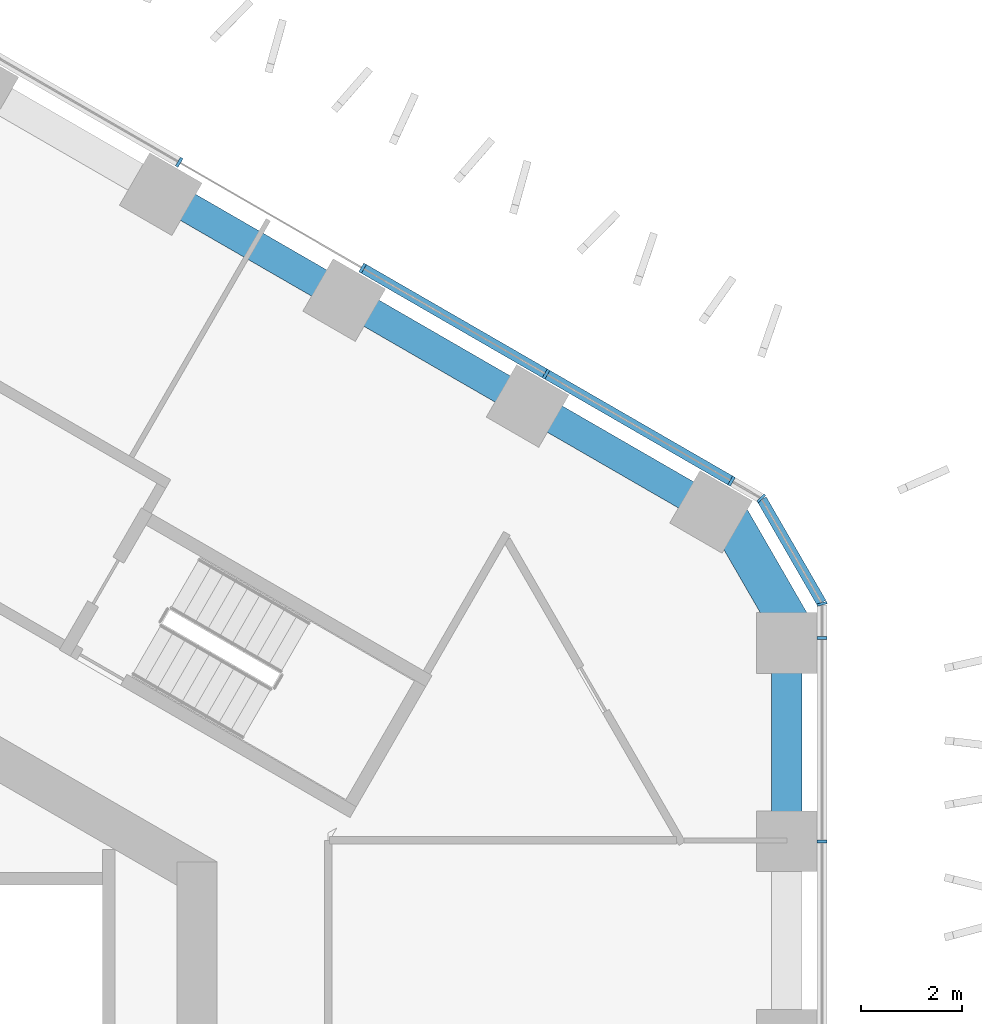
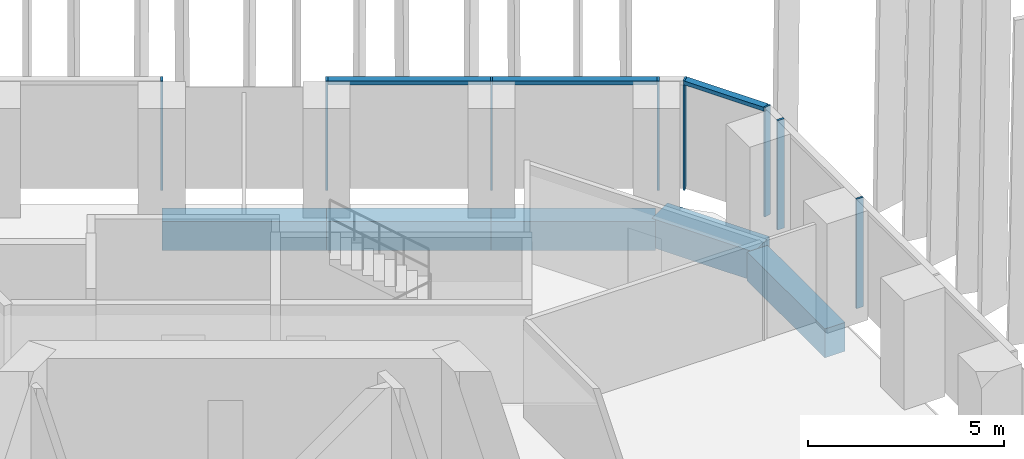
# One storey, part 7 of 19: 10 members, 5 beams, 3 elements without a shape of their own.
"""IFC4 building model written with IfcOpenShell, lengths in metres."""

from ifc_helpers import new_model, si_unit, direction, frame, origin, origin_2d, place, context, subcontext, project, spatial, rectangle, extrude, material, layer, layer_set, material_profile, profile_set, type_object, element, aggregate, save


model = new_model("IFC4")

# Units and contexts
model_context = context("Model", 3, precision=1e-05, world=origin(), true_north=direction((0.0, 1.0)))
body_context = subcontext(model_context, "Body", "Model", "MODEL_VIEW")
ifc_project = project(units=[si_unit("LENGTHUNIT", "METRE"), si_unit("AREAUNIT", "SQUARE_METRE"), si_unit("VOLUMEUNIT", "CUBIC_METRE"), si_unit("PLANEANGLEUNIT", "RADIAN"), si_unit("MASSUNIT", "GRAM", prefix="KILO")], contexts=[model_context])

# Site, building, storey
site_placement = place(None, origin())
site = spatial("IfcSite", under=ifc_project, at=site_placement, CompositionType="ELEMENT")
building_placement = place(site_placement, origin())
building = spatial("IfcBuilding", under=site, at=building_placement, Name="Ayvan Gate Tower", CompositionType="ELEMENT")
storey_placement = place(building_placement, frame((0.0, 0.0, 45.89990234375)))
storey = spatial("IfcBuildingStorey", under=building, at=storey_placement, Name="L11", CompositionType="ELEMENT", Elevation=45.89990234375)

# Beams
ifc_material_1 = material(Name="Concrete C40/50", Category="concrete")
ifc_material_profile_1 = material_profile(ifc_material_1, rectangle(XDim=0.800048828125, YDim=0.89990234375, at=origin_2d()), Name="RC 800x900")
ifc_profile_set_1 = profile_set([ifc_material_profile_1], Name="Concrete C40/50")
beam_type_1 = type_object("IfcBeamType", Name="Corner spandrel beam RC 800x900 C40/50", PredefinedType="BEAM", material=ifc_profile_set_1)
beam_1_placement = place(storey_placement, frame((20.97509765625, 9.98291015625, -0.7998046875), z_axis=(-0.499990139034, 0.866031096941, 0.0), x_axis=(-0.866031096941, -0.499990139034, 0.0)))
element("IfcBeam", 1, at=beam_1_placement, inside=storey, type_object=beam_type_1, Name="SB-L11-6", PredefinedType="BEAM", context=body_context, shape_type="SweptSolid", body=[
    extrude(rectangle(XDim=0.800048828125, YDim=0.89990234375, at=origin_2d()), origin(), (0.0, 0.0, 1.0), 3.0),
])
ifc_material_profile_2 = material_profile(ifc_material_1, rectangle(XDim=0.60009765625, YDim=0.89990234375, at=origin_2d()), Name="RC 600x900")
ifc_profile_set_2 = profile_set([ifc_material_profile_2], Name="Concrete C40/50")
beam_type_2 = type_object("IfcBeamType", Name="Spandrel beam RC 600x900 C40/50", PredefinedType="BEAM", material=ifc_profile_set_2)
beam_2_placement = place(storey_placement, frame((20.78466796875, 5.923828125, -0.7998046875), z_axis=(0.0, 1.0, 0.0), x_axis=(-1.0, 0.0, 0.0)))
element("IfcBeam", 2, at=beam_2_placement, inside=storey, type_object=beam_type_2, Name="SB-L11-5", PredefinedType="BEAM", context=body_context, shape_type="SweptSolid", body=[
    extrude(rectangle(XDim=0.60009765625, YDim=0.89990234375, at=origin_2d()), origin(), (0.0, 0.0, 1.0), 3.948974609375),
])
for number, where, z_axis, x_axis, name in (
    (3, (19.28466796875, 12.470947265625, -0.7998046875), (-0.866041855584, 0.499971503564, 0.0), (-0.499971503564, -0.866041855584, 0.0), "SB-L11-7"),
    (4, (15.6591796875, 14.56396484375, -0.7998046875), (-0.866002021773, 0.500040496645, 0.0), (-0.500040496645, -0.866002021773, 0.0), "SB-L11-8"),
):
    element("IfcBeam", number, at=place(storey_placement, frame(where, z_axis=z_axis, x_axis=x_axis)), inside=storey, type_object=beam_type_2, Name=name, PredefinedType="BEAM", context=body_context, shape_type="SweptSolid", body=[
        extrude(rectangle(XDim=0.60009765625, YDim=0.89990234375, at=origin_2d()), origin(), (0.0, 0.0, 1.0), 4.186279296875),
    ])
beam_3_placement = place(storey_placement, frame((12.033935546875, 16.6572265625, -0.7998046875), z_axis=(-0.866027276312, 0.499996756672, 0.0), x_axis=(-0.499996756672, -0.866027276312, 0.0)))
element("IfcBeam", 5, at=beam_3_placement, inside=storey, type_object=beam_type_2, Name="SB-L11-9", PredefinedType="BEAM", context=body_context, shape_type="SweptSolid", body=[
    extrude(rectangle(XDim=0.60009765625, YDim=0.89990234375, at=origin_2d()), origin(), (0.0, 0.0, 1.0), 4.18603515625),
])

# Curtain wall, members
ifc_material_2 = material(Name="Bronze anodised aluminium", Category="aluminium")
ifc_layer_1 = layer(ifc_material_2, 0.199951171875)
ifc_layer_set_1 = layer_set([ifc_layer_1], Name="Bronze anodised aluminium")
curtain_wall_type_1 = type_object("IfcCurtainWallType", Name="Stick curtain wall CW-1", PredefinedType="NOTDEFINED", material=ifc_layer_set_1)
curtain_wall_1_placement = place(storey_placement, origin())
curtain_wall_1 = element("IfcCurtainWall", 6, at=curtain_wall_1_placement, inside=storey, type_object=curtain_wall_type_1, Name="Stick curtain wall CW-1 L11", PredefinedType="NOTDEFINED")
ifc_material_profile_3 = material_profile(ifc_material_2, rectangle(XDim=0.199951171875, YDim=0.06005859375, at=origin_2d()), Name="Stick curtain wall CW-1 mullion 200 x 60")
ifc_profile_set_3 = profile_set([ifc_material_profile_3], Name="Bronze anodised aluminium")
member_type_1 = type_object("IfcMemberType", Name="Stick curtain wall CW-1 mullion 200 x 60", PredefinedType="MULLION", material=ifc_profile_set_3)
member_1_placement = place(storey_placement, frame((21.484619140625, 5.89306640625, 0.0), z_axis=(0.0, 0.0, 1.0), x_axis=(1.0, 0.0, 0.0)))
member_1 = element("IfcMember", 7, at=member_1_placement, type_object=member_type_1, Name="CW-1 mullion 5", PredefinedType="MULLION", context=body_context, shape_type="SweptSolid", body=[
    extrude(rectangle(XDim=0.199951171875, YDim=0.06005859375, at=origin_2d()), origin(), (0.0, 0.0, 1.0), 3.400146484375),
])
member_2_placement = place(storey_placement, frame((21.484619140625, 9.9189453125, 0.0), z_axis=(0.0, 0.0, 1.0), x_axis=(1.0, 0.0, 0.0)))
member_2 = element("IfcMember", 8, at=member_2_placement, type_object=member_type_1, Name="CW-1 mullion 6", PredefinedType="MULLION", context=body_context, shape_type="SweptSolid", body=[
    extrude(rectangle(XDim=0.199951171875, YDim=0.06005859375, at=origin_2d()), origin(), (0.0, 0.0, 1.0), 3.400146484375),
])
aggregate(curtain_wall_1, [member_1, member_2])

curtain_wall_2_placement = place(storey_placement, origin())
curtain_wall_2 = element("IfcCurtainWall", 9, at=curtain_wall_2_placement, inside=storey, type_object=curtain_wall_type_1, Name="Stick curtain wall CW-1 L11", PredefinedType="NOTDEFINED")
member_3_placement = place(storey_placement, frame((19.6884765625, 13.030029296875, 0.0), z_axis=(0.0, 0.0, 1.0), x_axis=(0.5, 0.866025403784, 0.0)))
member_3 = element("IfcMember", 10, at=member_3_placement, type_object=member_type_1, Name="CW-1 mullion 1", PredefinedType="MULLION", context=body_context, shape_type="SweptSolid", body=[
    extrude(rectangle(XDim=0.199951171875, YDim=0.06005859375, at=origin_2d()), origin(), (0.0, 0.0, 1.0), 3.400146484375),
])
member_4_placement = place(storey_placement, frame((16.015625, 15.150390625, 0.0), z_axis=(0.0, 0.0, 1.0), x_axis=(0.5, 0.866025403784, 0.0)))
member_4 = element("IfcMember", 11, at=member_4_placement, type_object=member_type_1, Name="CW-1 mullion 2", PredefinedType="MULLION", context=body_context, shape_type="SweptSolid", body=[
    extrude(rectangle(XDim=0.199951171875, YDim=0.06005859375, at=origin_2d()), origin(), (0.0, 0.0, 1.0), 3.400146484375),
])
member_5_placement = place(storey_placement, frame((12.380859375, 17.2490234375, 0.0), z_axis=(0.0, 0.0, 1.0), x_axis=(0.5, 0.866025403784, 0.0)))
member_5 = element("IfcMember", 12, at=member_5_placement, type_object=member_type_1, Name="CW-1 mullion 3", PredefinedType="MULLION", context=body_context, shape_type="SweptSolid", body=[
    extrude(rectangle(XDim=0.199951171875, YDim=0.06005859375, at=origin_2d()), origin(), (0.0, 0.0, 1.0), 3.400146484375),
])
member_6_placement = place(storey_placement, frame((8.7470703125, 19.346923828125, 0.0), z_axis=(0.0, 0.0, 1.0), x_axis=(0.5, 0.866025403784, 0.0)))
member_6 = element("IfcMember", 13, at=member_6_placement, type_object=member_type_1, Name="CW-1 mullion 4", PredefinedType="MULLION", context=body_context, shape_type="SweptSolid", body=[
    extrude(rectangle(XDim=0.199951171875, YDim=0.06005859375, at=origin_2d()), origin(), (0.0, 0.0, 1.0), 3.400146484375),
])
ifc_material_profile_4 = material_profile(ifc_material_2, rectangle(XDim=0.199951171875, YDim=0.1201171875, at=origin_2d()), Name="Stick curtain wall CW-1 transom 200 x 120")
ifc_profile_set_4 = profile_set([ifc_material_profile_4], Name="Bronze anodised aluminium")
member_type_2 = type_object("IfcMemberType", Name="Stick curtain wall CW-1 transom 200 x 120", PredefinedType="USERDEFINED", material=ifc_profile_set_4)
member_7_placement = place(storey_placement, frame((19.6884765625, 13.030029296875, 3.340087890625), z_axis=(-0.866031335599, 0.499989725655, 0.0), x_axis=(-0.499989725655, -0.866031335599, 0.0)))
member_7 = element("IfcMember", 14, at=member_7_placement, type_object=member_type_2, Name="CW-1 transom 1", ObjectType="TRANSOM", PredefinedType="USERDEFINED", context=body_context, shape_type="SweptSolid", body=[
    extrude(rectangle(XDim=0.199951171875, YDim=0.1201171875, at=origin_2d()), origin(), (0.0, 0.0, 1.0), 8.407958984375),
])
aggregate(curtain_wall_2, [member_3, member_4, member_5, member_6, member_7])

ifc_layer_2 = layer(ifc_material_2, 0.199951171875)
ifc_layer_set_2 = layer_set([ifc_layer_2], Name="Bronze anodised aluminium")
curtain_wall_type_2 = type_object("IfcCurtainWallType", Name="Stick curtain wall CW-6", PredefinedType="NOTDEFINED", material=ifc_layer_set_2)
curtain_wall_3_placement = place(storey_placement, origin())
curtain_wall_3 = element("IfcCurtainWall", 15, at=curtain_wall_3_placement, inside=storey, type_object=curtain_wall_type_2, Name="Stick curtain wall CW-6 L11", PredefinedType="NOTDEFINED")
ifc_material_profile_5 = material_profile(ifc_material_2, rectangle(XDim=0.199951171875, YDim=0.050048828125, at=origin_2d()), Name="Stick curtain wall CW-6 mullion 200 x 50")
ifc_profile_set_5 = profile_set([ifc_material_profile_5], Name="Bronze anodised aluminium")
member_type_3 = type_object("IfcMemberType", Name="Stick curtain wall CW-6 mullion 200 x 50", PredefinedType="MULLION", material=ifc_profile_set_5)
member_8_placement = place(storey_placement, frame((21.484619140625, 10.598876953125, 0.0), z_axis=(0.0, 0.0, 1.0), x_axis=(0.965925826289, 0.258819045103, 0.0)))
member_8 = element("IfcMember", 16, at=member_8_placement, type_object=member_type_3, Name="CW-6 mullion 2", PredefinedType="MULLION", context=body_context, shape_type="SweptSolid", body=[
    extrude(rectangle(XDim=0.199951171875, YDim=0.050048828125, at=origin_2d()), origin(), (0.0, 0.0, 1.0), 3.400146484375),
])
member_9_placement = place(storey_placement, frame((20.27734375, 12.68994140625, 0.0), z_axis=(0.0, 0.0, 1.0), x_axis=(0.707106781187, 0.707106781187, 0.0)))
member_9 = element("IfcMember", 17, at=member_9_placement, type_object=member_type_3, Name="CW-6 mullion 3", PredefinedType="MULLION", context=body_context, shape_type="SweptSolid", body=[
    extrude(rectangle(XDim=0.199951171875, YDim=0.050048828125, at=origin_2d()), origin(), (0.0, 0.0, 1.0), 3.400146484375),
])
ifc_material_profile_6 = material_profile(ifc_material_2, rectangle(XDim=0.199951171875, YDim=0.1201171875, at=origin_2d()), Name="Stick curtain wall CW-6 transom 200 x 120")
ifc_profile_set_6 = profile_set([ifc_material_profile_6], Name="Bronze anodised aluminium")
member_type_4 = type_object("IfcMemberType", Name="Stick curtain wall CW-6 transom 200 x 120", PredefinedType="USERDEFINED", material=ifc_profile_set_6)
member_10_placement = place(storey_placement, frame((21.47216796875, 10.62060546875, 3.340087890625), z_axis=(-0.500014398087, 0.866017090885, 0.0), x_axis=(-0.866017090885, -0.500014398087, 0.0)))
member_10 = element("IfcMember", 18, at=member_10_placement, type_object=member_type_4, Name="CW-6 transom 2", ObjectType="TRANSOM", PredefinedType="USERDEFINED", context=body_context, shape_type="SweptSolid", body=[
    extrude(rectangle(XDim=0.199951171875, YDim=0.1201171875, at=origin_2d()), origin(), (0.0, 0.0, 1.0), 2.36474609375),
])
aggregate(curtain_wall_3, [member_8, member_9, member_10])

save(model, "model.ifc")
